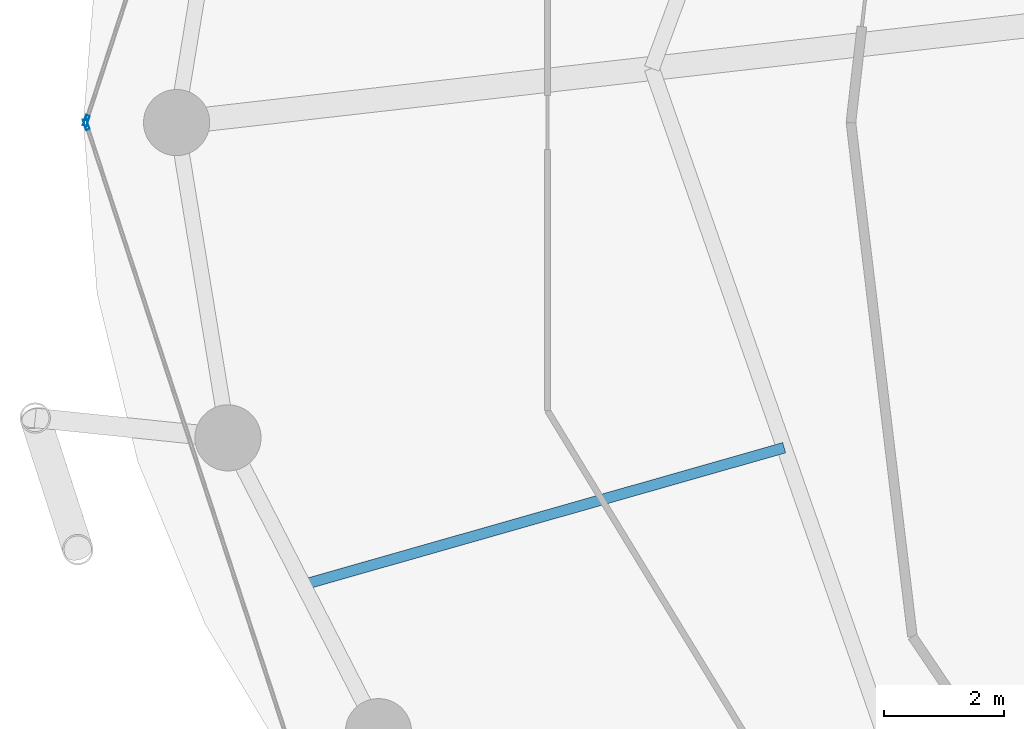
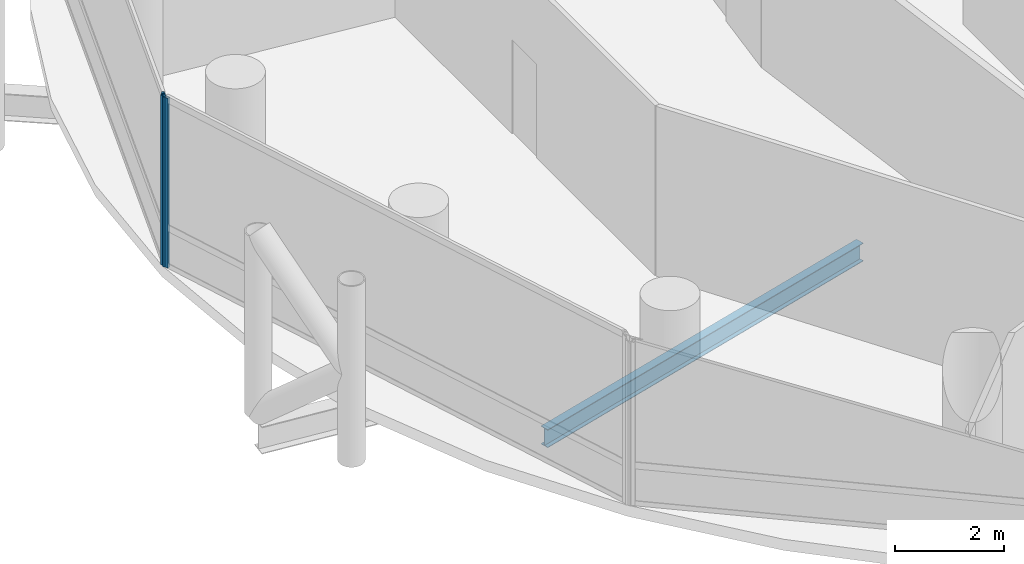
# One storey, part 6 of 25: 2 members, 1 beam, 2 elements without a shape of their own.
"""IFC4 building model written with IfcOpenShell, lengths in metres."""

from ifc_helpers import new_model, si_unit, direction, frame, origin, origin_2d, place, context, subcontext, project, spatial, hollow_rectangle, i_section, extrude, material, layer, layer_set, material_profile, profile_set, type_object, element, aggregate, save


model = new_model("IFC4")

# Units and contexts
model_context = context("Model", 3, precision=1e-05, world=origin(), true_north=direction((0.0, 1.0)))
body_context = subcontext(model_context, "Body", "Model", "MODEL_VIEW")
ifc_project = project(units=[si_unit("LENGTHUNIT", "METRE"), si_unit("AREAUNIT", "SQUARE_METRE"), si_unit("VOLUMEUNIT", "CUBIC_METRE"), si_unit("PLANEANGLEUNIT", "RADIAN"), si_unit("MASSUNIT", "GRAM", prefix="KILO")], contexts=[model_context])

# Site, building, storey
site_placement = place(None, origin())
site = spatial("IfcSite", under=ifc_project, at=site_placement, CompositionType="ELEMENT")
building_placement = place(site_placement, origin())
building = spatial("IfcBuilding", under=site, at=building_placement, Name="Nuhasar Tower", CompositionType="ELEMENT")
storey_placement = place(building_placement, frame((0.0, 0.0, 61.5)))
storey = spatial("IfcBuildingStorey", under=building, at=storey_placement, Name="L14", CompositionType="ELEMENT", Elevation=61.5)

# Beam
ifc_material_1 = material(Name="Steel S355", Category="steel")
ifc_material_profile_1 = material_profile(ifc_material_1, i_section(OverallWidth=0.177978515625, OverallDepth=0.406005859375, WebThickness=0.0078125, FlangeThickness=0.0126953125, at=origin_2d()), Name="W16X40")
ifc_profile_set_1 = profile_set([ifc_material_profile_1], Name="Steel S355")
beam_type = type_object("IfcBeamType", Name="BM-JST-W16X40", PredefinedType="JOIST", material=ifc_profile_set_1)
beam_placement = place(storey_placement, frame((24.051025390625, 21.39501953125, -0.452880859375), z_axis=(-0.961730884496, -0.273995813484, 0.0), x_axis=(0.273995813484, -0.961730884496, 0.0)))
element("IfcBeam", 1, at=beam_placement, inside=storey, type_object=beam_type, Name="L14 Secondary Floor Joist 08", PredefinedType="JOIST", context=body_context, shape_type="SweptSolid", body=[
    extrude(i_section(OverallWidth=0.177978515625, OverallDepth=0.406005859375, WebThickness=0.0078125, FlangeThickness=0.0126953125, at=origin_2d()), origin(), (0.0, 0.0, 1.0), 8.314208984375),
])

# Curtain wall, member
ifc_material_2 = material(Name="Aluminium 6063-T6", Category="aluminium")
ifc_layer = layer(ifc_material_2, 0.199951171875)
ifc_layer_set = layer_set([ifc_layer], Name="Aluminium 6063-T6")
curtain_wall_type = type_object("IfcCurtainWallType", Name="CW-Z1-OFF", PredefinedType="NOTDEFINED", material=ifc_layer_set)
curtain_wall_1_placement = place(storey_placement, origin())
curtain_wall_1 = element("IfcCurtainWall", 2, at=curtain_wall_1_placement, inside=storey, type_object=curtain_wall_type, Name="L14 Unitised Curtain Wall 06", PredefinedType="NOTDEFINED")
ifc_material_profile_2 = material_profile(ifc_material_2, hollow_rectangle(XDim=0.06494140625, YDim=0.179931640625, WallThickness=0.0048828125, at=origin_2d()), Name="CWM-2")
ifc_profile_set_2 = profile_set([ifc_material_profile_2], Name="Aluminium 6063-T6")
member_type = type_object("IfcMemberType", Name="CW-MUL-S2", PredefinedType="MULLION", material=ifc_profile_set_2)
member_1_placement = place(storey_placement, frame((12.4501953125, 26.830810546875, 0.0), z_axis=(0.0, 0.0, 1.0), x_axis=(0.950467534571, -0.310823849997, 0.0)))
member_1 = element("IfcMember", 3, at=member_1_placement, type_object=member_type, Name="CW-Z1 mullion 2", PredefinedType="MULLION", context=body_context, shape_type="SweptSolid", body=[
    extrude(hollow_rectangle(XDim=0.06494140625, YDim=0.179931640625, WallThickness=0.0048828125, at=origin_2d()), origin(), (0.0, 0.0, 1.0), 3.800048828125),
])
aggregate(curtain_wall_1, [member_1])

curtain_wall_2_placement = place(storey_placement, origin())
curtain_wall_2 = element("IfcCurtainWall", 4, at=curtain_wall_2_placement, inside=storey, type_object=curtain_wall_type, Name="L14 Unitised Curtain Wall 07", PredefinedType="NOTDEFINED")
member_2_placement = place(storey_placement, frame((12.4501953125, 26.76904296875, 0.0), z_axis=(0.0, 0.0, 1.0), x_axis=(0.950467534571, 0.310823849997, 0.0)))
member_2 = element("IfcMember", 5, at=member_2_placement, type_object=member_type, Name="CW-Z1 mullion 1", PredefinedType="MULLION", context=body_context, shape_type="SweptSolid", body=[
    extrude(hollow_rectangle(XDim=0.06494140625, YDim=0.179931640625, WallThickness=0.0048828125, at=origin_2d()), origin(), (0.0, 0.0, 1.0), 3.800048828125),
])
aggregate(curtain_wall_2, [member_2])

save(model, "model.ifc")
